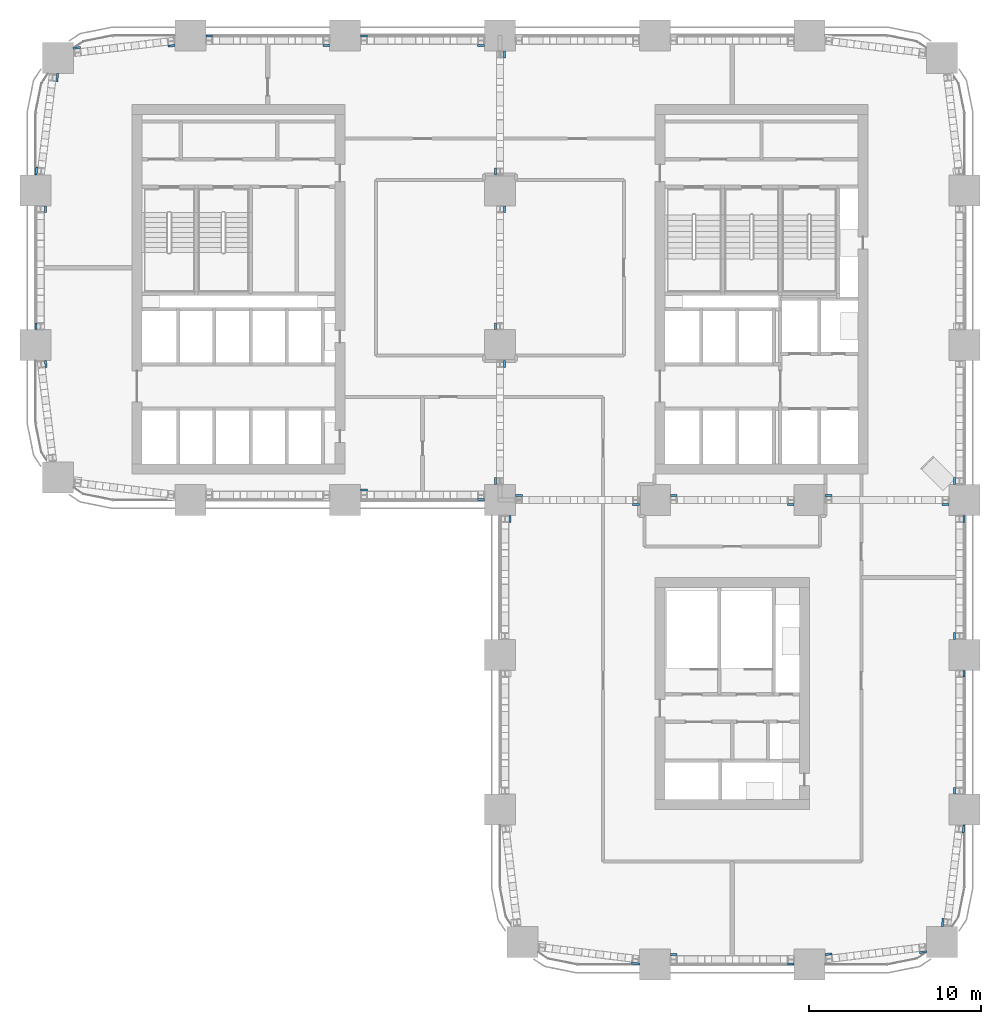
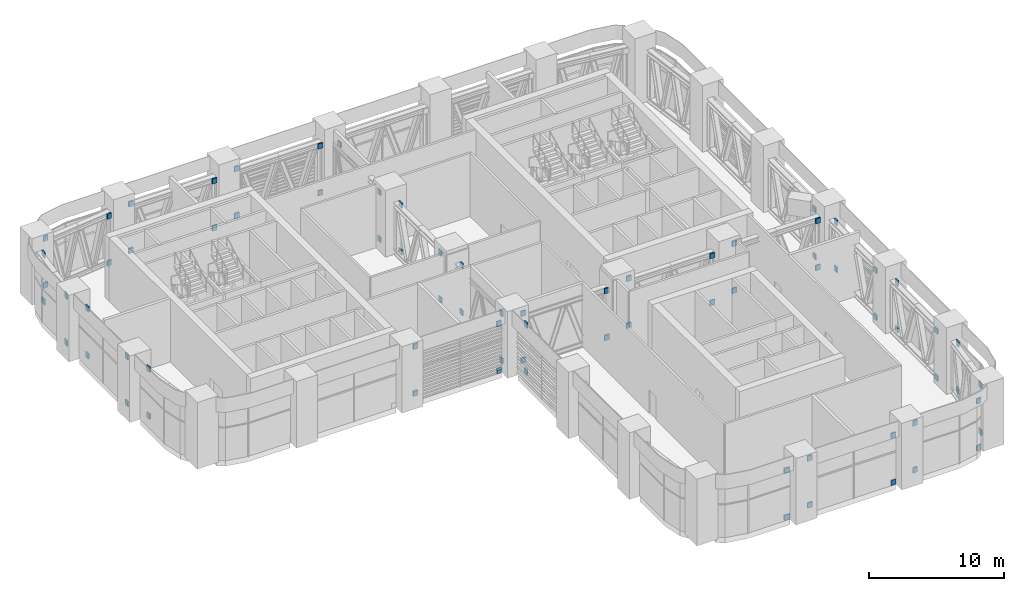
# One storey, part 20 of 24: 75 discrete accessories.
"""IFC4 building model written with IfcOpenShell, lengths in metres."""

from ifc_helpers import new_model, si_unit, direction, frame, origin, place, context, subcontext, project, spatial, polyline, outline, extrude, element, save


model = new_model("IFC4")

# Units and contexts
model_context = context("Model", 3, precision=1e-05, world=origin(), true_north=direction((0.0, 1.0)))
body_context = subcontext(model_context, "Body", "Model", "MODEL_VIEW")
ifc_project = project(units=[si_unit("LENGTHUNIT", "METRE"), si_unit("AREAUNIT", "SQUARE_METRE"), si_unit("VOLUMEUNIT", "CUBIC_METRE"), si_unit("PLANEANGLEUNIT", "RADIAN"), si_unit("MASSUNIT", "GRAM", prefix="KILO")], contexts=[model_context])

# Site, building, storey
site_placement = place(None, origin())
site = spatial("IfcSite", under=ifc_project, at=site_placement, CompositionType="ELEMENT")
building_placement = place(site_placement, origin())
building = spatial("IfcBuilding", under=site, at=building_placement, Name="Tessera Arch", CompositionType="ELEMENT")
storey_placement = place(building_placement, frame((0.0, 0.0, 123.39990234375)))
storey = spatial("IfcBuildingStorey", under=building, at=storey_placement, Name="L29", CompositionType="ELEMENT", Elevation=123.39990234375)

# Discrete accessories
discrete_accessory_1_placement = place(storey_placement, frame((0.0, 0.0, 4.225830078125)))
element("IfcDiscreteAccessory", 1, at=discrete_accessory_1_placement, inside=storey, Name="Chord seat bracket", PredefinedType="BRACKET", context=body_context, shape_type="SweptSolid", body=[
    extrude(outline(polyline([(25.699951171875, 53.488037109375), (26.10009765625, 53.488037109375), (26.10009765625, 53.367919921875), (25.699951171875, 53.367919921875), (25.699951171875, 53.488037109375)])), origin(), (0.0, 0.0, 1.0), 0.474365234375),
])
discrete_accessory_2_placement = place(storey_placement, frame((0.0, 0.0, 4.225830078125)))
element("IfcDiscreteAccessory", 2, at=discrete_accessory_2_placement, inside=storey, Name="Chord seat bracket", PredefinedType="BRACKET", context=body_context, shape_type="SweptSolid", body=[
    extrude(outline(polyline([(19.300048828125, 53.912109375), (18.89990234375, 53.912109375), (18.89990234375, 54.031982421875), (19.300048828125, 54.031982421875), (19.300048828125, 53.912109375)])), origin(), (0.0, 0.0, 1.0), 0.474365234375),
])
discrete_accessory_3_placement = place(storey_placement, origin())
element("IfcDiscreteAccessory", 3, at=discrete_accessory_3_placement, inside=storey, Name="Chord seat bracket", PredefinedType="BRACKET", context=body_context, shape_type="SweptSolid", body=[
    extrude(outline(polyline([(25.699951171875, 53.488037109375), (26.10009765625, 53.488037109375), (26.10009765625, 53.367919921875), (25.699951171875, 53.367919921875), (25.699951171875, 53.488037109375)])), origin(), (0.0, 0.0, 1.0), 0.474365234375),
])
discrete_accessory_4_placement = place(storey_placement, origin())
element("IfcDiscreteAccessory", 4, at=discrete_accessory_4_placement, inside=storey, Name="Chord seat bracket", PredefinedType="BRACKET", context=body_context, shape_type="SweptSolid", body=[
    extrude(outline(polyline([(19.300048828125, 53.912109375), (18.89990234375, 53.912109375), (18.89990234375, 54.031982421875), (19.300048828125, 54.031982421875), (19.300048828125, 53.912109375)])), origin(), (0.0, 0.0, 1.0), 0.474365234375),
])
discrete_accessory_5_placement = place(storey_placement, frame((0.0, 0.0, 4.225830078125)))
element("IfcDiscreteAccessory", 5, at=discrete_accessory_5_placement, inside=storey, Name="Chord seat bracket", PredefinedType="BRACKET", context=body_context, shape_type="SweptSolid", body=[
    extrude(outline(polyline([(16.699951171875, 53.488037109375), (17.10009765625, 53.488037109375), (17.10009765625, 53.367919921875), (16.699951171875, 53.367919921875), (16.699951171875, 53.488037109375)])), origin(), (0.0, 0.0, 1.0), 0.474365234375),
])
discrete_accessory_6_placement = place(storey_placement, frame((0.0, 0.0, 4.225830078125)))
element("IfcDiscreteAccessory", 6, at=discrete_accessory_6_placement, inside=storey, Name="Chord seat bracket", PredefinedType="BRACKET", context=body_context, shape_type="SweptSolid", body=[
    extrude(outline(polyline([(9.89990234375, 53.912109375), (9.89990234375, 54.031982421875), (10.300048828125, 54.031982421875), (10.300048828125, 53.912109375), (9.89990234375, 53.912109375)])), origin(), (0.0, 0.0, 1.0), 0.474365234375),
])
discrete_accessory_7_placement = place(storey_placement, origin())
element("IfcDiscreteAccessory", 7, at=discrete_accessory_7_placement, inside=storey, Name="Chord seat bracket", PredefinedType="BRACKET", context=body_context, shape_type="SweptSolid", body=[
    extrude(outline(polyline([(16.699951171875, 53.488037109375), (17.10009765625, 53.488037109375), (17.10009765625, 53.367919921875), (16.699951171875, 53.367919921875), (16.699951171875, 53.488037109375)])), origin(), (0.0, 0.0, 1.0), 0.474365234375),
])
discrete_accessory_8_placement = place(storey_placement, origin())
element("IfcDiscreteAccessory", 8, at=discrete_accessory_8_placement, inside=storey, Name="Chord seat bracket", PredefinedType="BRACKET", context=body_context, shape_type="SweptSolid", body=[
    extrude(outline(polyline([(9.89990234375, 53.912109375), (9.89990234375, 54.031982421875), (10.300048828125, 54.031982421875), (10.300048828125, 53.912109375), (9.89990234375, 53.912109375)])), origin(), (0.0, 0.0, 1.0), 0.474365234375),
])
discrete_accessory_9_placement = place(storey_placement, frame((0.0, 0.0, 4.225830078125)))
element("IfcDiscreteAccessory", 9, at=discrete_accessory_9_placement, inside=storey, Name="Chord seat bracket", PredefinedType="BRACKET", context=body_context, shape_type="SweptSolid", body=[
    extrude(outline(polyline([(8.10009765625, 53.484130859375), (8.10009765625, 53.36328125), (7.717529296875, 53.316650390625), (7.702880859375, 53.435791015625), (8.10009765625, 53.484130859375)])), origin(), (0.0, 0.0, 1.0), 0.474365234375),
])
discrete_accessory_10_placement = place(storey_placement, frame((0.0, 0.0, 4.225830078125)))
element("IfcDiscreteAccessory", 10, at=discrete_accessory_10_placement, inside=storey, Name="Chord seat bracket", PredefinedType="BRACKET", context=body_context, shape_type="SweptSolid", body=[
    extrude(outline(polyline([(2.625732421875, 53.244384765625), (2.218017578125, 53.194580078125), (2.218017578125, 53.315673828125), (2.611083984375, 53.363525390625), (2.625732421875, 53.244384765625)])), origin(), (0.0, 0.0, 1.0), 0.474365234375),
])
discrete_accessory_11_placement = place(storey_placement, origin())
element("IfcDiscreteAccessory", 11, at=discrete_accessory_11_placement, inside=storey, Name="Chord seat bracket", PredefinedType="BRACKET", context=body_context, shape_type="SweptSolid", body=[
    extrude(outline(polyline([(8.10009765625, 53.484130859375), (8.10009765625, 53.36328125), (7.717529296875, 53.316650390625), (7.702880859375, 53.435791015625), (8.10009765625, 53.484130859375)])), origin(), (0.0, 0.0, 1.0), 0.474365234375),
])
discrete_accessory_12_placement = place(storey_placement, origin())
element("IfcDiscreteAccessory", 12, at=discrete_accessory_12_placement, inside=storey, Name="Chord seat bracket", PredefinedType="BRACKET", context=body_context, shape_type="SweptSolid", body=[
    extrude(outline(polyline([(2.625732421875, 53.244384765625), (2.218017578125, 53.194580078125), (2.218017578125, 53.315673828125), (2.611083984375, 53.363525390625), (2.625732421875, 53.244384765625)])), origin(), (0.0, 0.0, 1.0), 0.474365234375),
])
discrete_accessory_13_placement = place(storey_placement, frame((0.0, 0.0, 4.225830078125)))
element("IfcDiscreteAccessory", 13, at=discrete_accessory_13_placement, inside=storey, Name="Chord seat bracket", PredefinedType="BRACKET", context=body_context, shape_type="SweptSolid", body=[
    extrude(outline(polyline([(1.176513671875, 51.322998046875), (1.232421875, 51.781982421875), (1.353515625, 51.781982421875), (1.295654296875, 51.30859375), (1.176513671875, 51.322998046875)])), origin(), (0.0, 0.0, 1.0), 0.474365234375),
])
discrete_accessory_14_placement = place(storey_placement, frame((0.0, 0.0, 4.225830078125)))
element("IfcDiscreteAccessory", 14, at=discrete_accessory_14_placement, inside=storey, Name="Chord seat bracket", PredefinedType="BRACKET", context=body_context, shape_type="SweptSolid", body=[
    extrude(outline(polyline([(0.143310546875, 46.348388671875), (0.088623046875, 45.89990234375), (-0.0322265625, 45.89990234375), (0.024169921875, 46.36279296875), (0.143310546875, 46.348388671875)])), origin(), (0.0, 0.0, 1.0), 0.474365234375),
])
discrete_accessory_15_placement = place(storey_placement, origin())
element("IfcDiscreteAccessory", 15, at=discrete_accessory_15_placement, inside=storey, Name="Chord seat bracket", PredefinedType="BRACKET", context=body_context, shape_type="SweptSolid", body=[
    extrude(outline(polyline([(1.176513671875, 51.322998046875), (1.232421875, 51.781982421875), (1.353515625, 51.781982421875), (1.295654296875, 51.30859375), (1.176513671875, 51.322998046875)])), origin(), (0.0, 0.0, 1.0), 0.474365234375),
])
discrete_accessory_16_placement = place(storey_placement, origin())
element("IfcDiscreteAccessory", 16, at=discrete_accessory_16_placement, inside=storey, Name="Chord seat bracket", PredefinedType="BRACKET", context=body_context, shape_type="SweptSolid", body=[
    extrude(outline(polyline([(0.143310546875, 46.348388671875), (0.088623046875, 45.89990234375), (-0.0322265625, 45.89990234375), (0.024169921875, 46.36279296875), (0.143310546875, 46.348388671875)])), origin(), (0.0, 0.0, 1.0), 0.474365234375),
])
discrete_accessory_17_placement = place(storey_placement, frame((0.0, 0.0, 4.225830078125)))
element("IfcDiscreteAccessory", 17, at=discrete_accessory_17_placement, inside=storey, Name="Chord seat bracket", PredefinedType="BRACKET", context=body_context, shape_type="SweptSolid", body=[
    extrude(outline(polyline([(0.511962890625, 43.699951171875), (0.511962890625, 44.10009765625), (0.632080078125, 44.10009765625), (0.632080078125, 43.699951171875), (0.511962890625, 43.699951171875)])), origin(), (0.0, 0.0, 1.0), 0.474365234375),
])
discrete_accessory_18_placement = place(storey_placement, frame((0.0, 0.0, 4.225830078125)))
element("IfcDiscreteAccessory", 18, at=discrete_accessory_18_placement, inside=storey, Name="Chord seat bracket", PredefinedType="BRACKET", context=body_context, shape_type="SweptSolid", body=[
    extrude(outline(polyline([(0.087890625, 36.89990234375), (-0.031982421875, 36.89990234375), (-0.031982421875, 37.300048828125), (0.087890625, 37.300048828125), (0.087890625, 36.89990234375)])), origin(), (0.0, 0.0, 1.0), 0.474365234375),
])
discrete_accessory_19_placement = place(storey_placement, origin())
element("IfcDiscreteAccessory", 19, at=discrete_accessory_19_placement, inside=storey, Name="Chord seat bracket", PredefinedType="BRACKET", context=body_context, shape_type="SweptSolid", body=[
    extrude(outline(polyline([(0.511962890625, 43.699951171875), (0.511962890625, 44.10009765625), (0.632080078125, 44.10009765625), (0.632080078125, 43.699951171875), (0.511962890625, 43.699951171875)])), origin(), (0.0, 0.0, 1.0), 0.474365234375),
])
discrete_accessory_20_placement = place(storey_placement, origin())
element("IfcDiscreteAccessory", 20, at=discrete_accessory_20_placement, inside=storey, Name="Chord seat bracket", PredefinedType="BRACKET", context=body_context, shape_type="SweptSolid", body=[
    extrude(outline(polyline([(0.087890625, 36.89990234375), (-0.031982421875, 36.89990234375), (-0.031982421875, 37.300048828125), (0.087890625, 37.300048828125), (0.087890625, 36.89990234375)])), origin(), (0.0, 0.0, 1.0), 0.474365234375),
])
for number, where, name in (
    (21, (0.0, 0.0, 4.225830078125), "Chord seat bracket"),
    (22, (0.0, 0.0, 0.0), "Chord seat bracket"),
):
    element("IfcDiscreteAccessory", number, at=place(storey_placement, frame(where)), inside=storey, Name=name, PredefinedType="BRACKET", context=body_context, shape_type="SweptSolid", body=[
        extrude(outline(polyline([(0.515869140625, 35.10009765625), (0.63671875, 35.10009765625), (0.683349609375, 34.717529296875), (0.564208984375, 34.702880859375), (0.515869140625, 35.10009765625)])), origin(), (0.0, 0.0, 1.0), 0.474365234375),
    ])
discrete_accessory_21_placement = place(storey_placement, frame((0.0, 0.0, 4.225830078125)))
element("IfcDiscreteAccessory", 23, at=discrete_accessory_21_placement, inside=storey, Name="Chord seat bracket", PredefinedType="BRACKET", context=body_context, shape_type="SweptSolid", body=[
    extrude(outline(polyline([(19.300048828125, 27.511962890625), (18.89990234375, 27.511962890625), (18.89990234375, 27.632080078125), (19.300048828125, 27.632080078125), (19.300048828125, 27.511962890625)])), origin(), (0.0, 0.0, 1.0), 0.474365234375),
])
discrete_accessory_22_placement = place(storey_placement, frame((0.0, 0.0, 4.225830078125)))
element("IfcDiscreteAccessory", 24, at=discrete_accessory_22_placement, inside=storey, Name="Chord seat bracket", PredefinedType="BRACKET", context=body_context, shape_type="SweptSolid", body=[
    extrude(outline(polyline([(25.699951171875, 27.087890625), (26.10009765625, 27.087890625), (26.10009765625, 26.968017578125), (25.699951171875, 26.968017578125), (25.699951171875, 27.087890625)])), origin(), (0.0, 0.0, 1.0), 0.474365234375),
])
discrete_accessory_23_placement = place(storey_placement, origin())
element("IfcDiscreteAccessory", 25, at=discrete_accessory_23_placement, inside=storey, Name="Chord seat bracket", PredefinedType="BRACKET", context=body_context, shape_type="SweptSolid", body=[
    extrude(outline(polyline([(19.300048828125, 27.511962890625), (18.89990234375, 27.511962890625), (18.89990234375, 27.632080078125), (19.300048828125, 27.632080078125), (19.300048828125, 27.511962890625)])), origin(), (0.0, 0.0, 1.0), 0.474365234375),
])
discrete_accessory_24_placement = place(storey_placement, origin())
element("IfcDiscreteAccessory", 26, at=discrete_accessory_24_placement, inside=storey, Name="Chord seat bracket", PredefinedType="BRACKET", context=body_context, shape_type="SweptSolid", body=[
    extrude(outline(polyline([(25.699951171875, 27.087890625), (26.10009765625, 27.087890625), (26.10009765625, 26.968017578125), (25.699951171875, 26.968017578125), (25.699951171875, 27.087890625)])), origin(), (0.0, 0.0, 1.0), 0.474365234375),
])
for number, where, name in (
    (27, (0.0, 0.0, 4.225830078125), "Chord seat bracket"),
    (28, (0.0, 0.0, 0.0), "Chord seat bracket"),
):
    element("IfcDiscreteAccessory", number, at=place(storey_placement, frame(where)), inside=storey, Name=name, PredefinedType="BRACKET", context=body_context, shape_type="SweptSolid", body=[
        extrude(outline(polyline([(27.511962890625, 25.699951171875), (27.511962890625, 26.10009765625), (27.632080078125, 26.10009765625), (27.632080078125, 25.699951171875), (27.511962890625, 25.699951171875)])), origin(), (0.0, 0.0, 1.0), 0.474365234375),
    ])
for number, where, name in (
    (29, (0.0, 0.0, 4.225830078125), "Chord seat bracket"),
    (30, (0.0, 0.0, 0.0), "Chord seat bracket"),
):
    element("IfcDiscreteAccessory", number, at=place(storey_placement, frame(where)), inside=storey, Name=name, PredefinedType="BRACKET", context=body_context, shape_type="SweptSolid", body=[
        extrude(outline(polyline([(34.651611328125, 0.143310546875), (35.10009765625, 0.088623046875), (35.10009765625, -0.0322265625), (34.63720703125, 0.024169921875), (34.651611328125, 0.143310546875)])), origin(), (0.0, 0.0, 1.0), 0.474365234375),
    ])
discrete_accessory_25_placement = place(storey_placement, frame((0.0, 0.0, 4.225830078125)))
element("IfcDiscreteAccessory", 31, at=discrete_accessory_25_placement, inside=storey, Name="Chord seat bracket", PredefinedType="BRACKET", context=body_context, shape_type="SweptSolid", body=[
    extrude(outline(polyline([(37.300048828125, 0.511962890625), (36.89990234375, 0.511962890625), (36.89990234375, 0.632080078125), (37.300048828125, 0.632080078125), (37.300048828125, 0.511962890625)])), origin(), (0.0, 0.0, 1.0), 0.474365234375),
])
discrete_accessory_26_placement = place(storey_placement, frame((0.0, 0.0, 4.225830078125)))
element("IfcDiscreteAccessory", 32, at=discrete_accessory_26_placement, inside=storey, Name="Chord seat bracket", PredefinedType="BRACKET", context=body_context, shape_type="SweptSolid", body=[
    extrude(outline(polyline([(43.699951171875, 0.087890625), (44.10009765625, 0.087890625), (44.10009765625, -0.031982421875), (43.699951171875, -0.031982421875), (43.699951171875, 0.087890625)])), origin(), (0.0, 0.0, 1.0), 0.474365234375),
])
discrete_accessory_27_placement = place(storey_placement, origin())
element("IfcDiscreteAccessory", 33, at=discrete_accessory_27_placement, inside=storey, Name="Chord seat bracket", PredefinedType="BRACKET", context=body_context, shape_type="SweptSolid", body=[
    extrude(outline(polyline([(37.300048828125, 0.511962890625), (36.89990234375, 0.511962890625), (36.89990234375, 0.632080078125), (37.300048828125, 0.632080078125), (37.300048828125, 0.511962890625)])), origin(), (0.0, 0.0, 1.0), 0.474365234375),
])
discrete_accessory_28_placement = place(storey_placement, origin())
element("IfcDiscreteAccessory", 34, at=discrete_accessory_28_placement, inside=storey, Name="Chord seat bracket", PredefinedType="BRACKET", context=body_context, shape_type="SweptSolid", body=[
    extrude(outline(polyline([(43.699951171875, 0.087890625), (44.10009765625, 0.087890625), (44.10009765625, -0.031982421875), (43.699951171875, -0.031982421875), (43.699951171875, 0.087890625)])), origin(), (0.0, 0.0, 1.0), 0.474365234375),
])
discrete_accessory_29_placement = place(storey_placement, frame((0.0, 0.0, 4.225830078125)))
element("IfcDiscreteAccessory", 35, at=discrete_accessory_29_placement, inside=storey, Name="Chord seat bracket", PredefinedType="BRACKET", context=body_context, shape_type="SweptSolid", body=[
    extrude(outline(polyline([(46.297119140625, 0.564208984375), (45.89990234375, 0.515869140625), (45.89990234375, 0.63671875), (46.282470703125, 0.683349609375), (46.297119140625, 0.564208984375)])), origin(), (0.0, 0.0, 1.0), 0.474365234375),
])
discrete_accessory_30_placement = place(storey_placement, frame((0.0, 0.0, 4.225830078125)))
element("IfcDiscreteAccessory", 36, at=discrete_accessory_30_placement, inside=storey, Name="Chord seat bracket", PredefinedType="BRACKET", context=body_context, shape_type="SweptSolid", body=[
    extrude(outline(polyline([(51.781982421875, 0.805419921875), (51.781982421875, 0.684326171875), (51.388916015625, 0.636474609375), (51.374267578125, 0.755615234375), (51.781982421875, 0.805419921875)])), origin(), (0.0, 0.0, 1.0), 0.474365234375),
])
discrete_accessory_31_placement = place(storey_placement, origin())
element("IfcDiscreteAccessory", 37, at=discrete_accessory_31_placement, inside=storey, Name="Chord seat bracket", PredefinedType="BRACKET", context=body_context, shape_type="SweptSolid", body=[
    extrude(outline(polyline([(46.297119140625, 0.564208984375), (45.89990234375, 0.515869140625), (45.89990234375, 0.63671875), (46.282470703125, 0.683349609375), (46.297119140625, 0.564208984375)])), origin(), (0.0, 0.0, 1.0), 0.474365234375),
])
discrete_accessory_32_placement = place(storey_placement, origin())
element("IfcDiscreteAccessory", 38, at=discrete_accessory_32_placement, inside=storey, Name="Chord seat bracket", PredefinedType="BRACKET", context=body_context, shape_type="SweptSolid", body=[
    extrude(outline(polyline([(51.781982421875, 0.805419921875), (51.781982421875, 0.684326171875), (51.388916015625, 0.636474609375), (51.374267578125, 0.755615234375), (51.781982421875, 0.805419921875)])), origin(), (0.0, 0.0, 1.0), 0.474365234375),
])
discrete_accessory_33_placement = place(storey_placement, frame((0.0, 0.0, 4.225830078125)))
element("IfcDiscreteAccessory", 39, at=discrete_accessory_33_placement, inside=storey, Name="Chord seat bracket", PredefinedType="BRACKET", context=body_context, shape_type="SweptSolid", body=[
    extrude(outline(polyline([(52.767578125, 2.218017578125), (52.646484375, 2.218017578125), (52.704345703125, 2.69140625), (52.823486328125, 2.677001953125), (52.767578125, 2.218017578125)])), origin(), (0.0, 0.0, 1.0), 0.474365234375),
])
discrete_accessory_34_placement = place(storey_placement, frame((0.0, 0.0, 4.225830078125)))
element("IfcDiscreteAccessory", 40, at=discrete_accessory_34_placement, inside=storey, Name="Chord seat bracket", PredefinedType="BRACKET", context=body_context, shape_type="SweptSolid", body=[
    extrude(outline(polyline([(53.856689453125, 7.651611328125), (53.911376953125, 8.10009765625), (54.0322265625, 8.10009765625), (53.975830078125, 7.63720703125), (53.856689453125, 7.651611328125)])), origin(), (0.0, 0.0, 1.0), 0.474365234375),
])
discrete_accessory_35_placement = place(storey_placement, origin())
element("IfcDiscreteAccessory", 41, at=discrete_accessory_35_placement, inside=storey, Name="Chord seat bracket", PredefinedType="BRACKET", context=body_context, shape_type="SweptSolid", body=[
    extrude(outline(polyline([(52.767578125, 2.218017578125), (52.646484375, 2.218017578125), (52.704345703125, 2.69140625), (52.823486328125, 2.677001953125), (52.767578125, 2.218017578125)])), origin(), (0.0, 0.0, 1.0), 0.474365234375),
])
discrete_accessory_36_placement = place(storey_placement, origin())
element("IfcDiscreteAccessory", 42, at=discrete_accessory_36_placement, inside=storey, Name="Chord seat bracket", PredefinedType="BRACKET", context=body_context, shape_type="SweptSolid", body=[
    extrude(outline(polyline([(53.856689453125, 7.651611328125), (53.911376953125, 8.10009765625), (54.0322265625, 8.10009765625), (53.975830078125, 7.63720703125), (53.856689453125, 7.651611328125)])), origin(), (0.0, 0.0, 1.0), 0.474365234375),
])
discrete_accessory_37_placement = place(storey_placement, frame((0.0, 0.0, 4.225830078125)))
element("IfcDiscreteAccessory", 43, at=discrete_accessory_37_placement, inside=storey, Name="Chord seat bracket", PredefinedType="BRACKET", context=body_context, shape_type="SweptSolid", body=[
    extrude(outline(polyline([(53.488037109375, 10.300048828125), (53.488037109375, 9.89990234375), (53.367919921875, 9.89990234375), (53.367919921875, 10.300048828125), (53.488037109375, 10.300048828125)])), origin(), (0.0, 0.0, 1.0), 0.474365234375),
])
discrete_accessory_38_placement = place(storey_placement, frame((0.0, 0.0, 4.225830078125)))
element("IfcDiscreteAccessory", 44, at=discrete_accessory_38_placement, inside=storey, Name="Chord seat bracket", PredefinedType="BRACKET", context=body_context, shape_type="SweptSolid", body=[
    extrude(outline(polyline([(53.912109375, 16.699951171875), (53.912109375, 17.10009765625), (54.031982421875, 17.10009765625), (54.031982421875, 16.699951171875), (53.912109375, 16.699951171875)])), origin(), (0.0, 0.0, 1.0), 0.474365234375),
])
discrete_accessory_39_placement = place(storey_placement, origin())
element("IfcDiscreteAccessory", 45, at=discrete_accessory_39_placement, inside=storey, Name="Chord seat bracket", PredefinedType="BRACKET", context=body_context, shape_type="SweptSolid", body=[
    extrude(outline(polyline([(53.488037109375, 10.300048828125), (53.488037109375, 9.89990234375), (53.367919921875, 9.89990234375), (53.367919921875, 10.300048828125), (53.488037109375, 10.300048828125)])), origin(), (0.0, 0.0, 1.0), 0.474365234375),
])
discrete_accessory_40_placement = place(storey_placement, origin())
element("IfcDiscreteAccessory", 46, at=discrete_accessory_40_placement, inside=storey, Name="Chord seat bracket", PredefinedType="BRACKET", context=body_context, shape_type="SweptSolid", body=[
    extrude(outline(polyline([(53.912109375, 16.699951171875), (53.912109375, 17.10009765625), (54.031982421875, 17.10009765625), (54.031982421875, 16.699951171875), (53.912109375, 16.699951171875)])), origin(), (0.0, 0.0, 1.0), 0.474365234375),
])
discrete_accessory_41_placement = place(storey_placement, frame((0.0, 0.0, 4.225830078125)))
element("IfcDiscreteAccessory", 47, at=discrete_accessory_41_placement, inside=storey, Name="Chord seat bracket", PredefinedType="BRACKET", context=body_context, shape_type="SweptSolid", body=[
    extrude(outline(polyline([(53.488037109375, 19.300048828125), (53.488037109375, 18.89990234375), (53.367919921875, 18.89990234375), (53.367919921875, 19.300048828125), (53.488037109375, 19.300048828125)])), origin(), (0.0, 0.0, 1.0), 0.474365234375),
])
discrete_accessory_42_placement = place(storey_placement, frame((0.0, 0.0, 4.225830078125)))
element("IfcDiscreteAccessory", 48, at=discrete_accessory_42_placement, inside=storey, Name="Chord seat bracket", PredefinedType="BRACKET", context=body_context, shape_type="SweptSolid", body=[
    extrude(outline(polyline([(53.912109375, 25.699951171875), (53.912109375, 26.10009765625), (54.031982421875, 26.10009765625), (54.031982421875, 25.699951171875), (53.912109375, 25.699951171875)])), origin(), (0.0, 0.0, 1.0), 0.474365234375),
])
discrete_accessory_43_placement = place(storey_placement, origin())
element("IfcDiscreteAccessory", 49, at=discrete_accessory_43_placement, inside=storey, Name="Chord seat bracket", PredefinedType="BRACKET", context=body_context, shape_type="SweptSolid", body=[
    extrude(outline(polyline([(53.488037109375, 19.300048828125), (53.488037109375, 18.89990234375), (53.367919921875, 18.89990234375), (53.367919921875, 19.300048828125), (53.488037109375, 19.300048828125)])), origin(), (0.0, 0.0, 1.0), 0.474365234375),
])
discrete_accessory_44_placement = place(storey_placement, origin())
element("IfcDiscreteAccessory", 50, at=discrete_accessory_44_placement, inside=storey, Name="Chord seat bracket", PredefinedType="BRACKET", context=body_context, shape_type="SweptSolid", body=[
    extrude(outline(polyline([(53.912109375, 25.699951171875), (53.912109375, 26.10009765625), (54.031982421875, 26.10009765625), (54.031982421875, 25.699951171875), (53.912109375, 25.699951171875)])), origin(), (0.0, 0.0, 1.0), 0.474365234375),
])
for number, where, name in (
    (51, (0.0, 0.0, 4.225830078125), "Chord seat bracket"),
    (52, (0.0, 0.0, 0.0), "Chord seat bracket"),
):
    element("IfcDiscreteAccessory", number, at=place(storey_placement, frame(where)), inside=storey, Name=name, PredefinedType="BRACKET", context=body_context, shape_type="SweptSolid", body=[
        extrude(outline(polyline([(53.488037109375, 28.300048828125), (53.488037109375, 27.89990234375), (53.367919921875, 27.89990234375), (53.367919921875, 28.300048828125), (53.488037109375, 28.300048828125)])), origin(), (0.0, 0.0, 1.0), 0.474365234375),
    ])
discrete_accessory_45_placement = place(storey_placement, frame((0.0, 0.0, 4.225830078125)))
element("IfcDiscreteAccessory", 53, at=discrete_accessory_45_placement, inside=storey, Name="Chord seat bracket", PredefinedType="BRACKET", context=body_context, shape_type="SweptSolid", body=[
    extrude(outline(polyline([(26.7880859375, 28.300048828125), (26.7880859375, 27.89990234375), (26.66796875, 27.89990234375), (26.66796875, 28.300048828125), (26.7880859375, 28.300048828125)])), origin(), (0.0, 0.0, 1.0), 0.474365234375),
])
discrete_accessory_46_placement = place(storey_placement, frame((0.0, 0.0, 4.225830078125)))
element("IfcDiscreteAccessory", 54, at=discrete_accessory_46_placement, inside=storey, Name="Chord seat bracket", PredefinedType="BRACKET", context=body_context, shape_type="SweptSolid", body=[
    extrude(outline(polyline([(27.2119140625, 34.699951171875), (27.2119140625, 35.10009765625), (27.33203125, 35.10009765625), (27.33203125, 34.699951171875), (27.2119140625, 34.699951171875)])), origin(), (0.0, 0.0, 1.0), 0.474365234375),
])
discrete_accessory_47_placement = place(storey_placement, origin())
element("IfcDiscreteAccessory", 55, at=discrete_accessory_47_placement, inside=storey, Name="Chord seat bracket", PredefinedType="BRACKET", context=body_context, shape_type="SweptSolid", body=[
    extrude(outline(polyline([(26.7880859375, 28.300048828125), (26.7880859375, 27.89990234375), (26.66796875, 27.89990234375), (26.66796875, 28.300048828125), (26.7880859375, 28.300048828125)])), origin(), (0.0, 0.0, 1.0), 0.474365234375),
])
discrete_accessory_48_placement = place(storey_placement, origin())
element("IfcDiscreteAccessory", 56, at=discrete_accessory_48_placement, inside=storey, Name="Chord seat bracket", PredefinedType="BRACKET", context=body_context, shape_type="SweptSolid", body=[
    extrude(outline(polyline([(27.2119140625, 34.699951171875), (27.2119140625, 35.10009765625), (27.33203125, 35.10009765625), (27.33203125, 34.699951171875), (27.2119140625, 34.699951171875)])), origin(), (0.0, 0.0, 1.0), 0.474365234375),
])
discrete_accessory_49_placement = place(storey_placement, frame((0.0, 0.0, 4.225830078125)))
element("IfcDiscreteAccessory", 57, at=discrete_accessory_49_placement, inside=storey, Name="Chord seat bracket", PredefinedType="BRACKET", context=body_context, shape_type="SweptSolid", body=[
    extrude(outline(polyline([(26.7880859375, 37.300048828125), (26.7880859375, 36.89990234375), (26.66796875, 36.89990234375), (26.66796875, 37.300048828125), (26.7880859375, 37.300048828125)])), origin(), (0.0, 0.0, 1.0), 0.474365234375),
])
discrete_accessory_50_placement = place(storey_placement, frame((0.0, 0.0, 4.225830078125)))
element("IfcDiscreteAccessory", 58, at=discrete_accessory_50_placement, inside=storey, Name="Chord seat bracket", PredefinedType="BRACKET", context=body_context, shape_type="SweptSolid", body=[
    extrude(outline(polyline([(27.2119140625, 44.10009765625), (27.33203125, 44.10009765625), (27.33203125, 43.699951171875), (27.2119140625, 43.699951171875), (27.2119140625, 44.10009765625)])), origin(), (0.0, 0.0, 1.0), 0.474365234375),
])
discrete_accessory_51_placement = place(storey_placement, origin())
element("IfcDiscreteAccessory", 59, at=discrete_accessory_51_placement, inside=storey, Name="Chord seat bracket", PredefinedType="BRACKET", context=body_context, shape_type="SweptSolid", body=[
    extrude(outline(polyline([(26.7880859375, 37.300048828125), (26.7880859375, 36.89990234375), (26.66796875, 36.89990234375), (26.66796875, 37.300048828125), (26.7880859375, 37.300048828125)])), origin(), (0.0, 0.0, 1.0), 0.474365234375),
])
discrete_accessory_52_placement = place(storey_placement, origin())
element("IfcDiscreteAccessory", 60, at=discrete_accessory_52_placement, inside=storey, Name="Chord seat bracket", PredefinedType="BRACKET", context=body_context, shape_type="SweptSolid", body=[
    extrude(outline(polyline([(27.2119140625, 44.10009765625), (27.33203125, 44.10009765625), (27.33203125, 43.699951171875), (27.2119140625, 43.699951171875), (27.2119140625, 44.10009765625)])), origin(), (0.0, 0.0, 1.0), 0.474365234375),
])
discrete_accessory_53_placement = place(storey_placement, frame((0.0, 0.0, 4.225830078125)))
element("IfcDiscreteAccessory", 61, at=discrete_accessory_53_placement, inside=storey, Name="Chord seat bracket", PredefinedType="BRACKET", context=body_context, shape_type="SweptSolid", body=[
    extrude(outline(polyline([(26.7880859375, 45.89990234375), (26.66796875, 45.89990234375), (26.66796875, 46.300048828125), (26.7880859375, 46.300048828125), (26.7880859375, 45.89990234375)])), origin(), (0.0, 0.0, 1.0), 0.474365234375),
])
discrete_accessory_54_placement = place(storey_placement, frame((0.0, 0.0, 4.225830078125)))
element("IfcDiscreteAccessory", 62, at=discrete_accessory_54_placement, inside=storey, Name="Chord seat bracket", PredefinedType="BRACKET", context=body_context, shape_type="SweptSolid", body=[
    extrude(outline(polyline([(27.2119140625, 52.699951171875), (27.2119140625, 53.10009765625), (27.33203125, 53.10009765625), (27.33203125, 52.699951171875), (27.2119140625, 52.699951171875)])), origin(), (0.0, 0.0, 1.0), 0.474365234375),
])
discrete_accessory_55_placement = place(storey_placement, origin())
element("IfcDiscreteAccessory", 63, at=discrete_accessory_55_placement, inside=storey, Name="Chord seat bracket", PredefinedType="BRACKET", context=body_context, shape_type="SweptSolid", body=[
    extrude(outline(polyline([(26.7880859375, 45.89990234375), (26.66796875, 45.89990234375), (26.66796875, 46.300048828125), (26.7880859375, 46.300048828125), (26.7880859375, 45.89990234375)])), origin(), (0.0, 0.0, 1.0), 0.474365234375),
])
discrete_accessory_56_placement = place(storey_placement, frame((0.0, 0.0, 4.225830078125)))
element("IfcDiscreteAccessory", 64, at=discrete_accessory_56_placement, inside=storey, Name="Chord seat bracket", PredefinedType="BRACKET", context=body_context, shape_type="SweptSolid", body=[
    extrude(outline(polyline([(28.300048828125, 27.2119140625), (27.89990234375, 27.2119140625), (27.89990234375, 27.33203125), (28.300048828125, 27.33203125), (28.300048828125, 27.2119140625)])), origin(), (0.0, 0.0, 1.0), 0.474365234375),
])
discrete_accessory_57_placement = place(storey_placement, frame((0.0, 0.0, 4.225830078125)))
element("IfcDiscreteAccessory", 65, at=discrete_accessory_57_placement, inside=storey, Name="Chord seat bracket", PredefinedType="BRACKET", context=body_context, shape_type="SweptSolid", body=[
    extrude(outline(polyline([(34.699951171875, 26.7880859375), (35.10009765625, 26.7880859375), (35.10009765625, 26.66796875), (34.699951171875, 26.66796875), (34.699951171875, 26.7880859375)])), origin(), (0.0, 0.0, 1.0), 0.474365234375),
])
discrete_accessory_58_placement = place(storey_placement, origin())
element("IfcDiscreteAccessory", 66, at=discrete_accessory_58_placement, inside=storey, Name="Chord seat bracket", PredefinedType="BRACKET", context=body_context, shape_type="SweptSolid", body=[
    extrude(outline(polyline([(28.300048828125, 27.2119140625), (27.89990234375, 27.2119140625), (27.89990234375, 27.33203125), (28.300048828125, 27.33203125), (28.300048828125, 27.2119140625)])), origin(), (0.0, 0.0, 1.0), 0.474365234375),
])
discrete_accessory_59_placement = place(storey_placement, origin())
element("IfcDiscreteAccessory", 67, at=discrete_accessory_59_placement, inside=storey, Name="Chord seat bracket", PredefinedType="BRACKET", context=body_context, shape_type="SweptSolid", body=[
    extrude(outline(polyline([(34.699951171875, 26.7880859375), (35.10009765625, 26.7880859375), (35.10009765625, 26.66796875), (34.699951171875, 26.66796875), (34.699951171875, 26.7880859375)])), origin(), (0.0, 0.0, 1.0), 0.474365234375),
])
discrete_accessory_60_placement = place(storey_placement, frame((0.0, 0.0, 4.225830078125)))
element("IfcDiscreteAccessory", 68, at=discrete_accessory_60_placement, inside=storey, Name="Chord seat bracket", PredefinedType="BRACKET", context=body_context, shape_type="SweptSolid", body=[
    extrude(outline(polyline([(37.300048828125, 27.2119140625), (36.89990234375, 27.2119140625), (36.89990234375, 27.33203125), (37.300048828125, 27.33203125), (37.300048828125, 27.2119140625)])), origin(), (0.0, 0.0, 1.0), 0.474365234375),
])
discrete_accessory_61_placement = place(storey_placement, frame((0.0, 0.0, 4.225830078125)))
element("IfcDiscreteAccessory", 69, at=discrete_accessory_61_placement, inside=storey, Name="Chord seat bracket", PredefinedType="BRACKET", context=body_context, shape_type="SweptSolid", body=[
    extrude(outline(polyline([(43.699951171875, 26.7880859375), (44.10009765625, 26.7880859375), (44.10009765625, 26.66796875), (43.699951171875, 26.66796875), (43.699951171875, 26.7880859375)])), origin(), (0.0, 0.0, 1.0), 0.474365234375),
])
discrete_accessory_62_placement = place(storey_placement, origin())
element("IfcDiscreteAccessory", 70, at=discrete_accessory_62_placement, inside=storey, Name="Chord seat bracket", PredefinedType="BRACKET", context=body_context, shape_type="SweptSolid", body=[
    extrude(outline(polyline([(37.300048828125, 27.2119140625), (36.89990234375, 27.2119140625), (36.89990234375, 27.33203125), (37.300048828125, 27.33203125), (37.300048828125, 27.2119140625)])), origin(), (0.0, 0.0, 1.0), 0.474365234375),
])
discrete_accessory_63_placement = place(storey_placement, origin())
element("IfcDiscreteAccessory", 71, at=discrete_accessory_63_placement, inside=storey, Name="Chord seat bracket", PredefinedType="BRACKET", context=body_context, shape_type="SweptSolid", body=[
    extrude(outline(polyline([(43.699951171875, 26.7880859375), (44.10009765625, 26.7880859375), (44.10009765625, 26.66796875), (43.699951171875, 26.66796875), (43.699951171875, 26.7880859375)])), origin(), (0.0, 0.0, 1.0), 0.474365234375),
])
discrete_accessory_64_placement = place(storey_placement, frame((0.0, 0.0, 4.225830078125)))
element("IfcDiscreteAccessory", 72, at=discrete_accessory_64_placement, inside=storey, Name="Chord seat bracket", PredefinedType="BRACKET", context=body_context, shape_type="SweptSolid", body=[
    extrude(outline(polyline([(46.300048828125, 27.2119140625), (45.89990234375, 27.2119140625), (45.89990234375, 27.33203125), (46.300048828125, 27.33203125), (46.300048828125, 27.2119140625)])), origin(), (0.0, 0.0, 1.0), 0.474365234375),
])
discrete_accessory_65_placement = place(storey_placement, frame((0.0, 0.0, 4.225830078125)))
element("IfcDiscreteAccessory", 73, at=discrete_accessory_65_placement, inside=storey, Name="Chord seat bracket", PredefinedType="BRACKET", context=body_context, shape_type="SweptSolid", body=[
    extrude(outline(polyline([(52.699951171875, 26.7880859375), (53.10009765625, 26.7880859375), (53.10009765625, 26.66796875), (52.699951171875, 26.66796875), (52.699951171875, 26.7880859375)])), origin(), (0.0, 0.0, 1.0), 0.474365234375),
])
discrete_accessory_66_placement = place(storey_placement, origin())
element("IfcDiscreteAccessory", 74, at=discrete_accessory_66_placement, inside=storey, Name="Chord seat bracket", PredefinedType="BRACKET", context=body_context, shape_type="SweptSolid", body=[
    extrude(outline(polyline([(46.300048828125, 27.2119140625), (45.89990234375, 27.2119140625), (45.89990234375, 27.33203125), (46.300048828125, 27.33203125), (46.300048828125, 27.2119140625)])), origin(), (0.0, 0.0, 1.0), 0.474365234375),
])
discrete_accessory_67_placement = place(storey_placement, origin())
element("IfcDiscreteAccessory", 75, at=discrete_accessory_67_placement, inside=storey, Name="Chord seat bracket", PredefinedType="BRACKET", context=body_context, shape_type="SweptSolid", body=[
    extrude(outline(polyline([(52.699951171875, 26.7880859375), (53.10009765625, 26.7880859375), (53.10009765625, 26.66796875), (52.699951171875, 26.66796875), (52.699951171875, 26.7880859375)])), origin(), (0.0, 0.0, 1.0), 0.474365234375),
])

save(model, "model.ifc")
